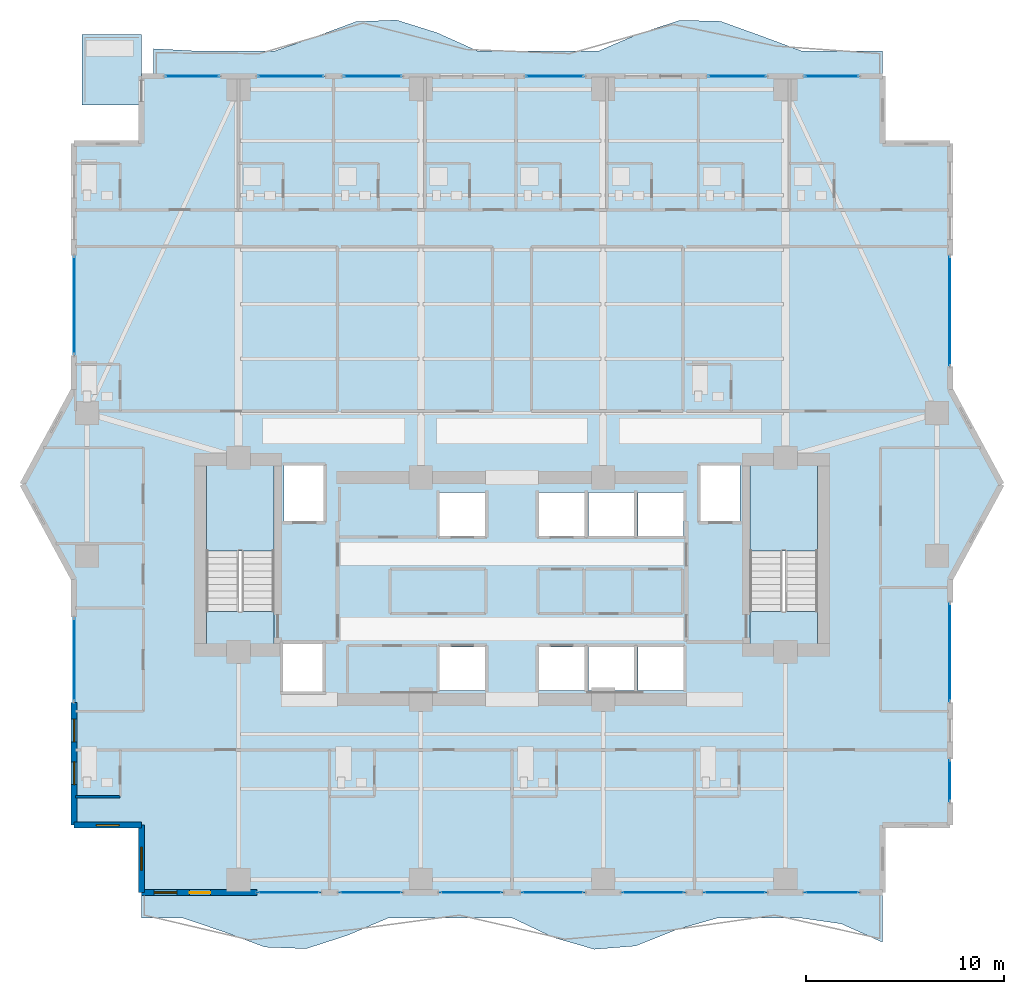
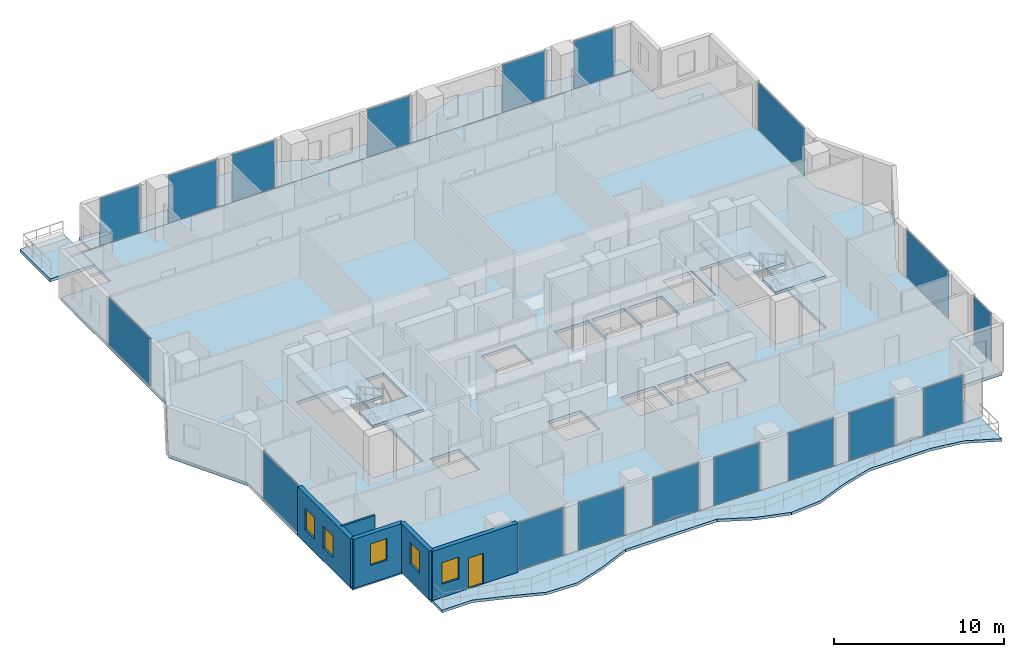
# One storey, part 23 of 33: 18 plates, 8 slabs, 5 walls, 5 windows, 1 door, 6 openings, 20 elements without a shape of their own.
"""IFC4 building model written with IfcOpenShell, lengths in metres."""

from ifc_helpers import new_model, si_unit, direction, frame, frame_2d, origin, origin_2d, place, context, subcontext, project, spatial, polyline, rectangle, outline, extrude, material, layer, layer_set, type_object, element, fill, aggregate, save


model = new_model("IFC4")

# Units and contexts
model_context = context("Model", 3, precision=1e-05, world=origin(), true_north=direction((0.0, 1.0)))
body_context = subcontext(model_context, "Body", "Model", "MODEL_VIEW")
ifc_project = project(units=[si_unit("LENGTHUNIT", "METRE"), si_unit("AREAUNIT", "SQUARE_METRE"), si_unit("VOLUMEUNIT", "CUBIC_METRE"), si_unit("PLANEANGLEUNIT", "RADIAN"), si_unit("MASSUNIT", "GRAM", prefix="KILO")], contexts=[model_context])

# Site, building, storey
site_placement = place(None, origin())
site = spatial("IfcSite", under=ifc_project, at=site_placement, CompositionType="ELEMENT")
building_placement = place(site_placement, origin())
building = spatial("IfcBuilding", under=site, at=building_placement, Name="Zuhayl Quay Hotel", CompositionType="ELEMENT")
storey_placement = place(building_placement, frame((0.0, 0.0, 222.39990234375)))
storey = spatial("IfcBuildingStorey", under=building, at=storey_placement, Name="L56", CompositionType="ELEMENT", Elevation=222.39990234375)

# Curtain wall, plate
ifc_material_1 = material(Name="Anodised Aluminium 6063-T6", Category="aluminium")
ifc_layer_1 = layer(ifc_material_1, 0.175048828125, Name="Anodised Aluminium 6063-T6", Category="aluminium")
ifc_layer_set_1 = layer_set([ifc_layer_1], Name="Anodised Aluminium 6063-T6")
curtain_wall_type = type_object("IfcCurtainWallType", Name="CW_SYS_Z3", PredefinedType="USERDEFINED", material=ifc_layer_set_1)
curtain_wall_1_placement = place(storey_placement, origin())
curtain_wall_1 = element("IfcCurtainWall", 1, at=curtain_wall_1_placement, inside=storey, type_object=curtain_wall_type, Name="L56 Curtain Wall ENV_L56_E02_CW1", ObjectType="UNITISED CURTAIN WALL", PredefinedType="USERDEFINED")
ifc_material_2 = material(Name="Dark Ceramic-Fritted Solar Glass", Category="glass")
ifc_layer_2 = layer(ifc_material_2, 0.0400390625, Name="Dark Ceramic-Fritted Solar Glass", Category="glass")
ifc_layer_set_2 = layer_set([ifc_layer_2], Name="Dark Ceramic-Fritted Solar Glass")
plate_type = type_object("IfcPlateType", Name="PN_OP_VENT_Z3", PredefinedType="CURTAIN_PANEL", material=ifc_layer_set_2)
plate_1_placement = place(storey_placement, frame((-22.10009765625, 4.14990234375, 0.05517578125), z_axis=(0.0, 0.0, 1.0), x_axis=(0.0, 1.0, 0.0)))
plate_1 = element("IfcPlate", 2, at=plate_1_placement, type_object=plate_type, Name="CW-Z3 panel 1.1", PredefinedType="CURTAIN_PANEL", context=body_context, shape_type="SweptSolid", body=[
    extrude(rectangle(XDim=4.169921875, YDim=0.0400390625, at=origin_2d()), origin(), (0.0, 0.0, 1.0), 3.419921875),
])
aggregate(curtain_wall_1, [plate_1])

curtain_wall_2_placement = place(storey_placement, origin())
curtain_wall_2 = element("IfcCurtainWall", 3, at=curtain_wall_2_placement, inside=storey, type_object=curtain_wall_type, Name="L56 Curtain Wall ENV_L56_E05_CW1", ObjectType="UNITISED CURTAIN WALL", PredefinedType="USERDEFINED")
plate_2_placement = place(storey_placement, frame((-22.10009765625, 22.030029296875, 0.05517578125), z_axis=(0.0, 0.0, 1.0), x_axis=(0.0, 1.0, 0.0)))
plate_2 = element("IfcPlate", 4, at=plate_2_placement, type_object=plate_type, Name="CW-Z3 panel 1.1", PredefinedType="CURTAIN_PANEL", context=body_context, shape_type="SweptSolid", body=[
    extrude(rectangle(XDim=4.909912109375, YDim=0.0400390625, at=origin_2d()), origin(), (0.0, 0.0, 1.0), 3.419921875),
])
aggregate(curtain_wall_2, [plate_2])

curtain_wall_3_placement = place(storey_placement, origin())
curtain_wall_3 = element("IfcCurtainWall", 5, at=curtain_wall_3_placement, inside=storey, type_object=curtain_wall_type, Name="L56 Curtain Wall ENV_L56_N_CW1", ObjectType="UNITISED CURTAIN WALL", PredefinedType="USERDEFINED")
plate_3_placement = place(storey_placement, frame((-16.135009765625, 33.60009765625, 0.05517578125), z_axis=(0.0, 0.0, 1.0), x_axis=(1.0, 0.0, 0.0)))
plate_3 = element("IfcPlate", 6, at=plate_3_placement, type_object=plate_type, Name="CW-Z3 panel 1.1", PredefinedType="CURTAIN_PANEL", context=body_context, shape_type="SweptSolid", body=[
    extrude(rectangle(XDim=2.699951171875, YDim=0.0400390625, at=origin_2d()), origin(), (0.0, 0.0, 1.0), 3.419921875),
])
aggregate(curtain_wall_3, [plate_3])

curtain_wall_4_placement = place(storey_placement, origin())
curtain_wall_4 = element("IfcCurtainWall", 7, at=curtain_wall_4_placement, inside=storey, type_object=curtain_wall_type, Name="L56 Curtain Wall ENV_L56_N_CW2", ObjectType="UNITISED CURTAIN WALL", PredefinedType="USERDEFINED")
plate_4_placement = place(storey_placement, frame((-11.1650390625, 33.60009765625, 0.05517578125), z_axis=(0.0, 0.0, 1.0), x_axis=(1.0, 0.0, 0.0)))
plate_4 = element("IfcPlate", 8, at=plate_4_placement, type_object=plate_type, Name="CW-Z3 panel 1.1", PredefinedType="CURTAIN_PANEL", context=body_context, shape_type="SweptSolid", body=[
    extrude(rectangle(XDim=3.300048828125, YDim=0.0400390625, at=origin_2d()), origin(), (0.0, 0.0, 1.0), 3.419921875),
])
aggregate(curtain_wall_4, [plate_4])

curtain_wall_5_placement = place(storey_placement, origin())
curtain_wall_5 = element("IfcCurtainWall", 9, at=curtain_wall_5_placement, inside=storey, type_object=curtain_wall_type, Name="L56 Curtain Wall ENV_L56_N_CW3", ObjectType="UNITISED CURTAIN WALL", PredefinedType="USERDEFINED")
plate_5_placement = place(storey_placement, frame((-7.034912109375, 33.60009765625, 0.05517578125), z_axis=(0.0, 0.0, 1.0), x_axis=(1.0, 0.0, 0.0)))
plate_5 = element("IfcPlate", 10, at=plate_5_placement, type_object=plate_type, Name="CW-Z3 panel 1.1", PredefinedType="CURTAIN_PANEL", context=body_context, shape_type="SweptSolid", body=[
    extrude(rectangle(XDim=2.89990234375, YDim=0.0400390625, at=origin_2d()), origin(), (0.0, 0.0, 1.0), 3.419921875),
])
aggregate(curtain_wall_5, [plate_5])

curtain_wall_6_placement = place(storey_placement, origin())
curtain_wall_6 = element("IfcCurtainWall", 11, at=curtain_wall_6_placement, inside=storey, type_object=curtain_wall_type, Name="L56 Curtain Wall ENV_L56_N_CW4", ObjectType="UNITISED CURTAIN WALL", PredefinedType="USERDEFINED")
plate_6_placement = place(storey_placement, frame((2.1650390625, 33.60009765625, 0.05517578125), z_axis=(0.0, 0.0, 1.0), x_axis=(1.0, 0.0, 0.0)))
plate_6 = element("IfcPlate", 12, at=plate_6_placement, type_object=plate_type, Name="CW-Z3 panel 1.1", PredefinedType="CURTAIN_PANEL", context=body_context, shape_type="SweptSolid", body=[
    extrude(rectangle(XDim=2.89990234375, YDim=0.0400390625, at=origin_2d()), origin(), (0.0, 0.0, 1.0), 3.419921875),
])
aggregate(curtain_wall_6, [plate_6])

curtain_wall_7_placement = place(storey_placement, origin())
curtain_wall_7 = element("IfcCurtainWall", 13, at=curtain_wall_7_placement, inside=storey, type_object=curtain_wall_type, Name="L56 Curtain Wall ENV_L56_N_CW5", ObjectType="UNITISED CURTAIN WALL", PredefinedType="USERDEFINED")
plate_7_placement = place(storey_placement, frame((11.364990234375, 33.60009765625, 0.05517578125), z_axis=(0.0, 0.0, 1.0), x_axis=(1.0, 0.0, 0.0)))
plate_7 = element("IfcPlate", 14, at=plate_7_placement, type_object=plate_type, Name="CW-Z3 panel 1.1", PredefinedType="CURTAIN_PANEL", context=body_context, shape_type="SweptSolid", body=[
    extrude(rectangle(XDim=2.89990234375, YDim=0.0400390625, at=origin_2d()), origin(), (0.0, 0.0, 1.0), 3.419921875),
])
aggregate(curtain_wall_7, [plate_7])

curtain_wall_8_placement = place(storey_placement, origin())
curtain_wall_8 = element("IfcCurtainWall", 15, at=curtain_wall_8_placement, inside=storey, type_object=curtain_wall_type, Name="L56 Curtain Wall ENV_L56_N_CW6", ObjectType="UNITISED CURTAIN WALL", PredefinedType="USERDEFINED")
plate_8_placement = place(storey_placement, frame((16.135009765625, 33.60009765625, 0.05517578125), z_axis=(0.0, 0.0, 1.0), x_axis=(1.0, 0.0, 0.0)))
plate_8 = element("IfcPlate", 16, at=plate_8_placement, type_object=plate_type, Name="CW-Z3 panel 1.1", PredefinedType="CURTAIN_PANEL", context=body_context, shape_type="SweptSolid", body=[
    extrude(rectangle(XDim=2.699951171875, YDim=0.0400390625, at=origin_2d()), origin(), (0.0, 0.0, 1.0), 3.419921875),
])
aggregate(curtain_wall_8, [plate_8])

curtain_wall_9_placement = place(storey_placement, origin())
curtain_wall_9 = element("IfcCurtainWall", 17, at=curtain_wall_9_placement, inside=storey, type_object=curtain_wall_type, Name="L56 Curtain Wall ENV_L56_E11_CW1", ObjectType="UNITISED CURTAIN WALL", PredefinedType="USERDEFINED")
plate_9_placement = place(storey_placement, frame((22.10009765625, 21.75, 0.05517578125), z_axis=(0.0, 0.0, 1.0), x_axis=(0.0, -1.0, 0.0)))
plate_9 = element("IfcPlate", 18, at=plate_9_placement, type_object=plate_type, Name="CW-Z3 panel 1.1", PredefinedType="CURTAIN_PANEL", context=body_context, shape_type="SweptSolid", body=[
    extrude(rectangle(XDim=5.469970703125, YDim=0.0400390625, at=origin_2d()), origin(), (0.0, 0.0, 1.0), 3.419921875),
])
aggregate(curtain_wall_9, [plate_9])

curtain_wall_10_placement = place(storey_placement, origin())
curtain_wall_10 = element("IfcCurtainWall", 19, at=curtain_wall_10_placement, inside=storey, type_object=curtain_wall_type, Name="L56 Curtain Wall ENV_L56_E14_CW1", ObjectType="UNITISED CURTAIN WALL", PredefinedType="USERDEFINED")
plate_10_placement = place(storey_placement, frame((22.10009765625, 4.52490234375, 0.05517578125), z_axis=(0.0, 0.0, 1.0), x_axis=(0.0, -1.0, 0.0)))
plate_10 = element("IfcPlate", 20, at=plate_10_placement, type_object=plate_type, Name="CW-Z3 panel 1.1", PredefinedType="CURTAIN_PANEL", context=body_context, shape_type="SweptSolid", body=[
    extrude(rectangle(XDim=4.919921875, YDim=0.0400390625, at=origin_2d()), origin(), (0.0, 0.0, 1.0), 3.419921875),
])
aggregate(curtain_wall_10, [plate_10])

curtain_wall_11_placement = place(storey_placement, origin())
curtain_wall_11 = element("IfcCurtainWall", 21, at=curtain_wall_11_placement, inside=storey, type_object=curtain_wall_type, Name="L56 Curtain Wall ENV_L56_E14_CW2", ObjectType="UNITISED CURTAIN WALL", PredefinedType="USERDEFINED")
plate_11_placement = place(storey_placement, frame((22.10009765625, -1.949951171875, 0.05517578125), z_axis=(0.0, 0.0, 1.0), x_axis=(0.0, -1.0, 0.0)))
plate_11 = element("IfcPlate", 22, at=plate_11_placement, type_object=plate_type, Name="CW-Z3 panel 1.1", PredefinedType="CURTAIN_PANEL", context=body_context, shape_type="SweptSolid", body=[
    extrude(rectangle(XDim=2.070068359375, YDim=0.0400390625, at=origin_2d()), origin(), (0.0, 0.0, 1.0), 3.419921875),
])
aggregate(curtain_wall_11, [plate_11])

curtain_wall_12_placement = place(storey_placement, origin())
curtain_wall_12 = element("IfcCurtainWall", 23, at=curtain_wall_12_placement, inside=storey, type_object=curtain_wall_type, Name="L56 Curtain Wall ENV_L56_S_CW1", ObjectType="UNITISED CURTAIN WALL", PredefinedType="USERDEFINED")
plate_12_placement = place(storey_placement, frame((16.135009765625, -7.60009765625, 0.05517578125), z_axis=(0.0, 0.0, 1.0), x_axis=(-1.0, 0.0, 0.0)))
plate_12 = element("IfcPlate", 24, at=plate_12_placement, type_object=plate_type, Name="CW-Z3 panel 1.1", PredefinedType="CURTAIN_PANEL", context=body_context, shape_type="SweptSolid", body=[
    extrude(rectangle(XDim=2.699951171875, YDim=0.0400390625, at=origin_2d()), origin(), (0.0, 0.0, 1.0), 3.419921875),
])
aggregate(curtain_wall_12, [plate_12])

curtain_wall_13_placement = place(storey_placement, origin())
curtain_wall_13 = element("IfcCurtainWall", 25, at=curtain_wall_13_placement, inside=storey, type_object=curtain_wall_type, Name="L56 Curtain Wall ENV_L56_S_CW2", ObjectType="UNITISED CURTAIN WALL", PredefinedType="USERDEFINED")
plate_13_placement = place(storey_placement, frame((11.264892578125, -7.60009765625, 0.05517578125), z_axis=(0.0, 0.0, 1.0), x_axis=(-1.0, 0.0, 0.0)))
plate_13 = element("IfcPlate", 26, at=plate_13_placement, type_object=plate_type, Name="CW-Z3 panel 1.1", PredefinedType="CURTAIN_PANEL", context=body_context, shape_type="SweptSolid", body=[
    extrude(rectangle(XDim=3.10009765625, YDim=0.0400390625, at=origin_2d()), origin(), (0.0, 0.0, 1.0), 3.419921875),
])
aggregate(curtain_wall_13, [plate_13])

curtain_wall_14_placement = place(storey_placement, origin())
curtain_wall_14 = element("IfcCurtainWall", 27, at=curtain_wall_14_placement, inside=storey, type_object=curtain_wall_type, Name="L56 Curtain Wall ENV_L56_S_CW3", ObjectType="UNITISED CURTAIN WALL", PredefinedType="USERDEFINED")
plate_14_placement = place(storey_placement, frame((7.135009765625, -7.60009765625, 0.05517578125), z_axis=(0.0, 0.0, 1.0), x_axis=(-1.0, 0.0, 0.0)))
plate_14 = element("IfcPlate", 28, at=plate_14_placement, type_object=plate_type, Name="CW-Z3 panel 1.1", PredefinedType="CURTAIN_PANEL", context=body_context, shape_type="SweptSolid", body=[
    extrude(rectangle(XDim=3.10009765625, YDim=0.0400390625, at=origin_2d()), origin(), (0.0, 0.0, 1.0), 3.419921875),
])
aggregate(curtain_wall_14, [plate_14])

curtain_wall_15_placement = place(storey_placement, origin())
curtain_wall_15 = element("IfcCurtainWall", 29, at=curtain_wall_15_placement, inside=storey, type_object=curtain_wall_type, Name="L56 Curtain Wall ENV_L56_S_CW4", ObjectType="UNITISED CURTAIN WALL", PredefinedType="USERDEFINED")
plate_15_placement = place(storey_placement, frame((2.06494140625, -7.60009765625, 0.05517578125), z_axis=(0.0, 0.0, 1.0), x_axis=(-1.0, 0.0, 0.0)))
plate_15 = element("IfcPlate", 30, at=plate_15_placement, type_object=plate_type, Name="CW-Z3 panel 1.1", PredefinedType="CURTAIN_PANEL", context=body_context, shape_type="SweptSolid", body=[
    extrude(rectangle(XDim=3.10009765625, YDim=0.0400390625, at=origin_2d()), origin(), (0.0, 0.0, 1.0), 3.419921875),
])
aggregate(curtain_wall_15, [plate_15])

curtain_wall_16_placement = place(storey_placement, origin())
curtain_wall_16 = element("IfcCurtainWall", 31, at=curtain_wall_16_placement, inside=storey, type_object=curtain_wall_type, Name="L56 Curtain Wall ENV_L56_S_CW5", ObjectType="UNITISED CURTAIN WALL", PredefinedType="USERDEFINED")
plate_16_placement = place(storey_placement, frame((-2.06494140625, -7.60009765625, 0.05517578125), z_axis=(0.0, 0.0, 1.0), x_axis=(-1.0, 0.0, 0.0)))
plate_16 = element("IfcPlate", 32, at=plate_16_placement, type_object=plate_type, Name="CW-Z3 panel 1.1", PredefinedType="CURTAIN_PANEL", context=body_context, shape_type="SweptSolid", body=[
    extrude(rectangle(XDim=3.10009765625, YDim=0.0400390625, at=origin_2d()), origin(), (0.0, 0.0, 1.0), 3.419921875),
])
aggregate(curtain_wall_16, [plate_16])

curtain_wall_17_placement = place(storey_placement, origin())
curtain_wall_17 = element("IfcCurtainWall", 33, at=curtain_wall_17_placement, inside=storey, type_object=curtain_wall_type, Name="L56 Curtain Wall ENV_L56_S_CW6", ObjectType="UNITISED CURTAIN WALL", PredefinedType="USERDEFINED")
plate_17_placement = place(storey_placement, frame((-7.135009765625, -7.60009765625, 0.05517578125), z_axis=(0.0, 0.0, 1.0), x_axis=(-1.0, 0.0, 0.0)))
plate_17 = element("IfcPlate", 34, at=plate_17_placement, type_object=plate_type, Name="CW-Z3 panel 1.1", PredefinedType="CURTAIN_PANEL", context=body_context, shape_type="SweptSolid", body=[
    extrude(rectangle(XDim=3.10009765625, YDim=0.0400390625, at=origin_2d()), origin(), (0.0, 0.0, 1.0), 3.419921875),
])
aggregate(curtain_wall_17, [plate_17])

curtain_wall_18_placement = place(storey_placement, origin())
curtain_wall_18 = element("IfcCurtainWall", 35, at=curtain_wall_18_placement, inside=storey, type_object=curtain_wall_type, Name="L56 Curtain Wall ENV_L56_S_CW7", ObjectType="UNITISED CURTAIN WALL", PredefinedType="USERDEFINED")
plate_18_placement = place(storey_placement, frame((-11.264892578125, -7.60009765625, 0.05517578125), z_axis=(0.0, 0.0, 1.0), x_axis=(-1.0, 0.0, 0.0)))
plate_18 = element("IfcPlate", 36, at=plate_18_placement, type_object=plate_type, Name="CW-Z3 panel 1.1", PredefinedType="CURTAIN_PANEL", context=body_context, shape_type="SweptSolid", body=[
    extrude(rectangle(XDim=3.10009765625, YDim=0.0400390625, at=origin_2d()), origin(), (0.0, 0.0, 1.0), 3.419921875),
])
aggregate(curtain_wall_18, [plate_18])

# Slabs
ifc_material_3 = material(Name="Concrete C45/55", Category="concrete")
ifc_layer_3 = layer(ifc_material_3, 0.195068359375, Name="Concrete C45/55", Category="concrete")
ifc_layer_set_3 = layer_set([ifc_layer_3], Name="Concrete C45/55")
slab_type_1 = type_object("IfcSlabType", Name="SL_BALCONY_195", PredefinedType="FLOOR", material=ifc_layer_set_3)
slab_1_placement = place(storey_placement, frame((0.0, 0.0, -0.19482421875)))
element("IfcSlab", 37, at=slab_1_placement, inside=storey, type_object=slab_type_1, Name="L56 Exterior Rippling Balcony Slab North", PredefinedType="FLOOR", context=body_context, shape_type="SweptSolid", body=[
    extrude(outline(polyline([(-18.10009765625, 33.60009765625), (18.699951171875, 33.60009765625), (18.699951171875, 34.8798828125), (16.655517578125, 34.8798828125), (14.611083984375, 34.8798828125), (12.566650390625, 35.63623046875), (10.522216796875, 36.37353515625), (8.477783203125, 36.424560546875), (6.433349609375, 35.75830078125), (4.388916015625, 34.8798828125), (2.344482421875, 34.8798828125), (0.300048828125, 34.8798828125), (-1.744384765625, 34.8798828125), (-3.788818359375, 35.798095703125), (-5.833251953125, 36.438720703125), (-7.877685546875, 36.353759765625), (-9.922119140625, 35.594482421875), (-11.966796875, 34.8798828125), (-14.010986328125, 34.8798828125), (-16.0556640625, 34.8798828125), (-18.10009765625, 34.989990234375), (-18.10009765625, 33.60009765625)])), origin(), (0.0, 0.0, 1.0), 0.19482421875),
])
slab_2_placement = place(storey_placement, frame((0.0, 0.0, -0.19482421875)))
element("IfcSlab", 38, at=slab_2_placement, inside=storey, type_object=slab_type_1, Name="L56 Exterior Rippling Balcony Slab South", PredefinedType="FLOOR", context=body_context, shape_type="SweptSolid", body=[
    extrude(outline(polyline([(-18.699951171875, -8.8798828125), (-16.622314453125, -8.8798828125), (-14.54443359375, -9.583984375), (-12.466796875, -10.356201171875), (-10.388916015625, -10.431884765625), (-8.31103515625, -9.763427734375), (-6.2333984375, -8.8798828125), (-4.155517578125, -8.8798828125), (-2.077880859375, -8.8798828125), (0.0, -8.8798828125), (2.077880859375, -9.865478515625), (4.155517578125, -10.464111328125), (6.2333984375, -10.29833984375), (8.31103515625, -9.472412109375), (10.388916015625, -8.8798828125), (12.466796875, -8.8798828125), (14.54443359375, -8.8798828125), (16.622314453125, -9.17919921875), (18.699951171875, -10.1103515625), (18.699951171875, -7.60009765625), (-18.699951171875, -7.60009765625), (-18.699951171875, -8.8798828125)])), origin(), (0.0, 0.0, 1.0), 0.19482421875),
])
ifc_layer_4 = layer(ifc_material_3, 0.219970703125, Name="Concrete C45/55", Category="concrete")
ifc_layer_set_4 = layer_set([ifc_layer_4], Name="Concrete C45/55")
slab_type_2 = type_object("IfcSlabType", Name="SL_FLOOR_220", PredefinedType="FLOOR", material=ifc_layer_set_4)
slab_3_placement = place(storey_placement, frame((0.0, 0.0, -0.219970703125)))
element("IfcSlab", 39, at=slab_3_placement, inside=storey, type_object=slab_type_2, Name="L56 Structural Floor Slab", PredefinedType="FLOOR", context=body_context, shape_type="SweptSolid", body=[
    extrude(outline(polyline([(-18.699951171875, -7.60009765625), (18.699951171875, -7.60009765625), (18.699951171875, -4.199951171875), (22.10009765625, -4.199951171875), (22.10009765625, 8.199951171875), (24.699951171875, 13.0), (22.10009765625, 17.800048828125), (22.10009765625, 30.199951171875), (18.699951171875, 30.199951171875), (18.699951171875, 33.60009765625), (-18.699951171875, 33.60009765625), (-18.699951171875, 30.199951171875), (-22.10009765625, 30.199951171875), (-22.10009765625, 17.800048828125), (-24.699951171875, 13.0), (-22.10009765625, 8.199951171875), (-22.10009765625, -4.199951171875), (-18.699951171875, -4.199951171875), (-18.699951171875, -7.60009765625)]), holes=[polyline([(-12.0, 4.949951171875), (-12.0, 13.949951171875), (-15.429931640625, 13.949951171875), (-15.429931640625, 4.949951171875), (-12.0, 4.949951171875)]), polyline([(15.429931640625, 4.949951171875), (15.429931640625, 13.949951171875), (12.0, 13.949951171875), (12.0, 4.949951171875), (15.429931640625, 4.949951171875)]), polyline([(-11.5, 11.14990234375), (-9.5, 11.14990234375), (-9.5, 13.949951171875), (-11.5, 13.949951171875), (-11.5, 11.14990234375)]), polyline([(9.5, 11.14990234375), (11.5, 11.14990234375), (11.5, 13.949951171875), (9.5, 13.949951171875), (9.5, 11.14990234375)]), polyline([(-3.64990234375, 2.60009765625), (-1.35009765625, 2.60009765625), (-1.35009765625, 4.800048828125), (-3.64990234375, 4.800048828125), (-3.64990234375, 2.60009765625)]), polyline([(1.35009765625, 2.60009765625), (3.64990234375, 2.60009765625), (3.64990234375, 4.800048828125), (1.35009765625, 4.800048828125), (1.35009765625, 2.60009765625)]), polyline([(-3.64990234375, 10.39990234375), (-1.35009765625, 10.39990234375), (-1.35009765625, 12.60009765625), (-3.64990234375, 12.60009765625), (-3.64990234375, 10.39990234375)]), polyline([(1.35009765625, 10.39990234375), (3.64990234375, 10.39990234375), (3.64990234375, 12.60009765625), (1.35009765625, 12.60009765625), (1.35009765625, 10.39990234375)]), polyline([(3.85009765625, 2.60009765625), (6.14990234375, 2.60009765625), (6.14990234375, 4.800048828125), (3.85009765625, 4.800048828125), (3.85009765625, 2.60009765625)]), polyline([(6.35009765625, 2.60009765625), (8.64990234375, 2.60009765625), (8.64990234375, 4.800048828125), (6.35009765625, 4.800048828125), (6.35009765625, 2.60009765625)]), polyline([(3.85009765625, 10.39990234375), (6.14990234375, 10.39990234375), (6.14990234375, 12.60009765625), (3.85009765625, 12.60009765625), (3.85009765625, 10.39990234375)]), polyline([(6.35009765625, 10.39990234375), (8.64990234375, 10.39990234375), (8.64990234375, 12.60009765625), (6.35009765625, 12.60009765625), (6.35009765625, 10.39990234375)]), polyline([(-11.550048828125, 2.550048828125), (-9.550048828125, 2.550048828125), (-9.550048828125, 4.949951171875), (-11.550048828125, 4.949951171875), (-11.550048828125, 2.550048828125)])]), origin(), (0.0, 0.0, 1.0), 0.219970703125),
])

# Stair, slabs
stair_type = type_object("IfcStairType", Name="ST_DOGLEG_TOWER", PredefinedType="HALF_TURN_STAIR", material=ifc_material_3)
stair_1_placement = place(storey_placement, origin())
stair_1 = element("IfcStair", 40, at=stair_1_placement, inside=storey, type_object=stair_type, Name="L56 Smokeproof Exit Stair ST1", PredefinedType="HALF_TURN_STAIR")
ifc_layer_5 = layer(ifc_material_3, 0.199951171875, Name="Concrete C45/55", Category="concrete")
ifc_layer_set_5 = layer_set([ifc_layer_5], Name="Concrete C45/55")
slab_type_3 = type_object("IfcSlabType", Name="SL_STAIR_LANDING_200", PredefinedType="LANDING", material=ifc_layer_set_5)
slab_4_placement = place(storey_placement, frame((0.0, 0.0, 1.675048828125)))
slab_4 = element("IfcSlab", 41, at=slab_4_placement, type_object=slab_type_3, Name="ST1 landing 1", PredefinedType="LANDING", context=body_context, shape_type="SweptSolid", body=[
    extrude(outline(polyline([(-12.0, 9.64990234375), (-12.0, 13.949951171875), (-15.429931640625, 13.949951171875), (-15.429931640625, 9.64990234375), (-12.0, 9.64990234375)])), origin(), (0.0, 0.0, 1.0), 0.199951171875),
])
slab_5_placement = place(storey_placement, frame((0.0, 0.0, 3.550048828125)))
slab_5 = element("IfcSlab", 42, at=slab_5_placement, type_object=slab_type_3, Name="ST1 landing 2", PredefinedType="LANDING", context=body_context, shape_type="SweptSolid", body=[
    extrude(outline(polyline([(-12.0, 4.949951171875), (-12.0, 6.590087890625), (-15.429931640625, 6.590087890625), (-15.429931640625, 4.949951171875), (-12.0, 4.949951171875)])), origin(), (0.0, 0.0, 1.0), 0.199951171875),
])
aggregate(stair_1, [slab_4, slab_5])

stair_2_placement = place(storey_placement, origin())
stair_2 = element("IfcStair", 43, at=stair_2_placement, inside=storey, type_object=stair_type, Name="L56 Smokeproof Exit Stair ST2", PredefinedType="HALF_TURN_STAIR")
slab_6_placement = place(storey_placement, frame((0.0, 0.0, 1.675048828125)))
slab_6 = element("IfcSlab", 44, at=slab_6_placement, type_object=slab_type_3, Name="ST2 landing 1", PredefinedType="LANDING", context=body_context, shape_type="SweptSolid", body=[
    extrude(outline(polyline([(15.429931640625, 9.64990234375), (15.429931640625, 13.949951171875), (12.0, 13.949951171875), (12.0, 9.64990234375), (15.429931640625, 9.64990234375)])), origin(), (0.0, 0.0, 1.0), 0.199951171875),
])
slab_7_placement = place(storey_placement, frame((0.0, 0.0, 3.550048828125)))
slab_7 = element("IfcSlab", 45, at=slab_7_placement, type_object=slab_type_3, Name="ST2 landing 2", PredefinedType="LANDING", context=body_context, shape_type="SweptSolid", body=[
    extrude(outline(polyline([(15.429931640625, 4.949951171875), (15.429931640625, 6.590087890625), (12.0, 6.590087890625), (12.0, 4.949951171875), (15.429931640625, 4.949951171875)])), origin(), (0.0, 0.0, 1.0), 0.199951171875),
])
aggregate(stair_2, [slab_6, slab_7])

# Slab
ifc_layer_6 = layer(ifc_material_3, 0.219970703125, Name="Concrete C45/55", Category="concrete")
ifc_layer_set_6 = layer_set([ifc_layer_6], Name="Concrete C45/55")
slab_type_4 = type_object("IfcSlabType", Name="SL_TERRACE_235", PredefinedType="FLOOR", material=ifc_layer_set_6)
slab_8_placement = place(storey_placement, frame((0.0, 0.0, -0.219970703125)))
element("IfcSlab", 46, at=slab_8_placement, inside=storey, type_object=slab_type_4, Name="L56 Exterior Sky-Terrace Slab L56_SPIRAL_NW", PredefinedType="FLOOR", context=body_context, shape_type="SweptSolid", body=[
    extrude(outline(polyline([(-21.699951171875, 32.14990234375), (-18.699951171875, 32.14990234375), (-18.699951171875, 35.699951171875), (-21.699951171875, 35.699951171875), (-21.699951171875, 32.14990234375)])), origin(), (0.0, 0.0, 1.0), 0.219970703125),
])

# Wall, opening, window
ifc_material_4 = material(Name="Precast concrete C45/55", Category="concrete")
ifc_layer_7 = layer(ifc_material_4, 0.300048828125, Name="Precast concrete C45/55", Category="concrete")
ifc_layer_set_7 = layer_set([ifc_layer_7], Name="Precast concrete C45/55")
wall_type_1 = type_object("IfcWallType", Name="WL_EXT_300", PredefinedType="STANDARD", material=ifc_layer_set_7)
wall_1_placement = place(storey_placement, frame((-18.699951171875, -4.199951171875, 0.0), z_axis=(0.0, 0.0, 1.0), x_axis=(-1.0, 0.0, 0.0)))
wall_1 = element("IfcWall", 47, at=wall_1_placement, inside=storey, type_object=wall_type_1, Name="L56 Exterior Precast Wall ENV_L56_EW01", PredefinedType="STANDARD", context=body_context, shape_type="SweptSolid", body=[
    extrude(rectangle(XDim=3.400146484375, YDim=0.300048828125, at=frame_2d((1.7001953125, 0.0))), origin(), (0.0, 0.0, 1.0), 3.530029296875),
])
opening_1_placement = place(wall_1_placement, frame((1.125, 0.0, 1.25)))
opening_1 = element("IfcOpeningElement", 48, at=opening_1_placement, cuts=wall_1, Name="Opening W01N", PredefinedType="OPENING", context=body_context, shape_type="SweptSolid", body=[
    extrude(rectangle(XDim=1.14990234375, YDim=1.550048828125, at=frame_2d((0.574951171875, 0.77490234375))), frame((0.0, 0.159912109375, 0.0), z_axis=(0.0, -1.0, 0.0), x_axis=(1.0, 0.0, 0.0)), (0.0, 0.0, 1.0), 0.320068359375),
])
window_type = type_object("IfcWindowType", Name="WN_NOTCH_1350", PartitioningType="SINGLE_PANEL", PredefinedType="WINDOW", material=ifc_material_2)
window_1_placement = place(opening_1_placement, origin())
window_1 = element("IfcWindow", 49, at=window_1_placement, inside=storey, type_object=window_type, Name="L56 Corner Notch Window 1", OverallHeight=1.550048828125, OverallWidth=1.14990234375, PartitioningType="SINGLE_PANEL", PredefinedType="WINDOW", context=body_context, shape_type="SweptSolid", body=[
    extrude(rectangle(XDim=1.14990234375, YDim=1.550048828125, at=frame_2d((0.574951171875, 0.77490234375))), frame((0.0, 0.030029296875, 0.0), z_axis=(0.0, -1.0, 0.0), x_axis=(1.0, 0.0, 0.0)), (0.0, 0.0, 1.0), 0.06005859375),
])
fill(opening_1, window_1)

# Wall, openings, windows
wall_2_placement = place(storey_placement, frame((-22.10009765625, -4.199951171875, 0.0), z_axis=(0.0, 0.0, 1.0), x_axis=(0.0, 1.0, 0.0)))
wall_2 = element("IfcWall", 50, at=wall_2_placement, inside=storey, type_object=wall_type_1, Name="L56 Exterior Precast Wall ENV_L56_E02_EW1", PredefinedType="STANDARD", context=body_context, shape_type="SweptSolid", body=[
    extrude(rectangle(XDim=6.199951171875, YDim=0.300048828125, at=frame_2d((3.10009765625, 0.0))), origin(), (0.0, 0.0, 1.0), 3.530029296875),
])
opening_2_placement = place(wall_2_placement, frame((2.044921875, 0.0, 0.949951171875)))
opening_2 = element("IfcOpeningElement", 51, at=opening_2_placement, cuts=wall_2, Name="Opening W01N", PredefinedType="OPENING", context=body_context, shape_type="SweptSolid", body=[
    extrude(rectangle(XDim=1.14990234375, YDim=1.550048828125, at=frame_2d((0.574951171875, 0.77490234375))), frame((0.0, 0.159912109375, 0.0), z_axis=(0.0, -1.0, 0.0), x_axis=(1.0, 0.0, 0.0)), (0.0, 0.0, 1.0), 0.320068359375),
])
opening_3_placement = place(wall_2_placement, frame((4.199951171875, 0.0, 0.949951171875)))
opening_3 = element("IfcOpeningElement", 52, at=opening_3_placement, cuts=wall_2, Name="Opening W01N", PredefinedType="OPENING", context=body_context, shape_type="SweptSolid", body=[
    extrude(rectangle(XDim=1.14990234375, YDim=1.550048828125, at=frame_2d((0.574951171875, 0.77490234375))), frame((0.0, 0.159912109375, 0.0), z_axis=(0.0, -1.0, 0.0), x_axis=(1.0, 0.0, 0.0)), (0.0, 0.0, 1.0), 0.320068359375),
])
window_2_placement = place(opening_2_placement, origin())
window_2 = element("IfcWindow", 53, at=window_2_placement, inside=storey, type_object=window_type, Name="L56 Operable Facade Window 1-1", OverallHeight=1.550048828125, OverallWidth=1.14990234375, PartitioningType="SINGLE_PANEL", PredefinedType="WINDOW", context=body_context, shape_type="SweptSolid", body=[
    extrude(rectangle(XDim=1.14990234375, YDim=1.550048828125, at=frame_2d((0.574951171875, 0.77490234375))), frame((0.0, 0.030029296875, 0.0), z_axis=(0.0, -1.0, 0.0), x_axis=(1.0, 0.0, 0.0)), (0.0, 0.0, 1.0), 0.06005859375),
])
fill(opening_2, window_2)
window_3_placement = place(opening_3_placement, origin())
window_3 = element("IfcWindow", 54, at=window_3_placement, inside=storey, type_object=window_type, Name="L56 Operable Facade Window 1-2", OverallHeight=1.550048828125, OverallWidth=1.14990234375, PartitioningType="SINGLE_PANEL", PredefinedType="WINDOW", context=body_context, shape_type="SweptSolid", body=[
    extrude(rectangle(XDim=1.14990234375, YDim=1.550048828125, at=frame_2d((0.574951171875, 0.77490234375))), frame((0.0, 0.030029296875, 0.0), z_axis=(0.0, -1.0, 0.0), x_axis=(1.0, 0.0, 0.0)), (0.0, 0.0, 1.0), 0.06005859375),
])
fill(opening_3, window_3)

# Wall, openings, door, window
wall_3_placement = place(storey_placement, frame((-12.8798828125, -7.60009765625, 0.0), z_axis=(0.0, 0.0, 1.0), x_axis=(-1.0, 0.0, 0.0)))
wall_3 = element("IfcWall", 55, at=wall_3_placement, inside=storey, type_object=wall_type_1, Name="L56 Exterior Precast Wall ENV_L56_S_EW8", PredefinedType="STANDARD", context=body_context, shape_type="SweptSolid", body=[
    extrude(rectangle(XDim=5.820068359375, YDim=0.300048828125, at=frame_2d((2.91015625, 0.0))), origin(), (0.0, 0.0, 1.0), 3.530029296875),
])
opening_4_placement = place(wall_3_placement, frame((2.340087890625, 0.0, 0.0)))
opening_4 = element("IfcOpeningElement", 56, at=opening_4_placement, cuts=wall_3, Name="Opening DG1", PredefinedType="OPENING", context=body_context, shape_type="SweptSolid", body=[
    extrude(rectangle(XDim=1.050048828125, YDim=2.199951171875, at=frame_2d((0.52490234375, 1.10009765625))), frame((0.0, 0.159912109375, 0.0), z_axis=(0.0, -1.0, 0.0), x_axis=(1.0, 0.0, 0.0)), (0.0, 0.0, 1.0), 0.320068359375),
])
opening_5_placement = place(wall_3_placement, frame((4.034912109375, 0.0, 0.949951171875)))
opening_5 = element("IfcOpeningElement", 57, at=opening_5_placement, cuts=wall_3, Name="Opening W01N", PredefinedType="OPENING", context=body_context, shape_type="SweptSolid", body=[
    extrude(rectangle(XDim=1.14990234375, YDim=1.550048828125, at=frame_2d((0.574951171875, 0.77490234375))), frame((0.0, 0.159912109375, 0.0), z_axis=(0.0, -1.0, 0.0), x_axis=(1.0, 0.0, 0.0)), (0.0, 0.0, 1.0), 0.320068359375),
])
ifc_material_5 = material(Name="Anodised Aluminium and Dark Solar Glass", Category="aluminium")
door_type = type_object("IfcDoorType", Name="DR_EXT_TERR_1050", OperationType="NOTDEFINED", PredefinedType="DOOR", material=ifc_material_5)
door_placement = place(opening_4_placement, origin())
door = element("IfcDoor", 58, at=door_placement, inside=storey, type_object=door_type, Name="L56 South Rippling Balcony Door", OperationType="SINGLE_SWING_RIGHT", OverallHeight=2.199951171875, OverallWidth=1.050048828125, PredefinedType="DOOR", context=body_context, shape_type="SweptSolid", body=[
    extrude(rectangle(XDim=1.050048828125, YDim=2.199951171875, at=frame_2d((0.52490234375, 1.10009765625))), frame((0.0, 0.02490234375, 0.0), z_axis=(0.0, -1.0, 0.0), x_axis=(1.0, 0.0, 0.0)), (0.0, 0.0, 1.0), 0.050048828125),
])
fill(opening_4, door)
window_4_placement = place(opening_5_placement, origin())
window_4 = element("IfcWindow", 59, at=window_4_placement, inside=storey, type_object=window_type, Name="L56 Operable Facade Window 8-1", OverallHeight=1.550048828125, OverallWidth=1.14990234375, PartitioningType="SINGLE_PANEL", PredefinedType="WINDOW", context=body_context, shape_type="SweptSolid", body=[
    extrude(rectangle(XDim=1.14990234375, YDim=1.550048828125, at=frame_2d((0.574951171875, 0.77490234375))), frame((0.0, 0.030029296875, 0.0), z_axis=(0.0, -1.0, 0.0), x_axis=(1.0, 0.0, 0.0)), (0.0, 0.0, 1.0), 0.06005859375),
])
fill(opening_5, window_4)

# Wall, opening, window
wall_4_placement = place(storey_placement, frame((-18.699951171875, -7.60009765625, 0.0), z_axis=(0.0, 0.0, 1.0), x_axis=(0.0, 1.0, 0.0)))
wall_4 = element("IfcWall", 60, at=wall_4_placement, inside=storey, type_object=wall_type_1, Name="L56 Exterior Precast Wall ENV_L56_EW18", PredefinedType="STANDARD", context=body_context, shape_type="SweptSolid", body=[
    extrude(rectangle(XDim=3.400146484375, YDim=0.300048828125, at=frame_2d((1.7001953125, 0.0))), origin(), (0.0, 0.0, 1.0), 3.530029296875),
])
opening_6_placement = place(wall_4_placement, frame((1.125, 0.0, 1.25)))
opening_6 = element("IfcOpeningElement", 61, at=opening_6_placement, cuts=wall_4, Name="Opening W01N", PredefinedType="OPENING", context=body_context, shape_type="SweptSolid", body=[
    extrude(rectangle(XDim=1.14990234375, YDim=1.550048828125, at=frame_2d((0.574951171875, 0.77490234375))), frame((0.0, 0.159912109375, 0.0), z_axis=(0.0, -1.0, 0.0), x_axis=(1.0, 0.0, 0.0)), (0.0, 0.0, 1.0), 0.320068359375),
])
window_5_placement = place(opening_6_placement, origin())
window_5 = element("IfcWindow", 62, at=window_5_placement, inside=storey, type_object=window_type, Name="L56 Corner Notch Window 18", OverallHeight=1.550048828125, OverallWidth=1.14990234375, PartitioningType="SINGLE_PANEL", PredefinedType="WINDOW", context=body_context, shape_type="SweptSolid", body=[
    extrude(rectangle(XDim=1.14990234375, YDim=1.550048828125, at=frame_2d((0.574951171875, 0.77490234375))), frame((0.0, 0.030029296875, 0.0), z_axis=(0.0, -1.0, 0.0), x_axis=(1.0, 0.0, 0.0)), (0.0, 0.0, 1.0), 0.06005859375),
])
fill(opening_6, window_5)

# Wall
ifc_material_6 = material(Name="Moisture-Resistant Sanitarychase Gypsum")
ifc_layer_8 = layer(ifc_material_6, 0.135009765625, Name="Moisture-Resistant Sanitarychase Gypsum")
ifc_layer_set_8 = layer_set([ifc_layer_8], Name="Moisture-Resistant Sanitarychase Gypsum")
wall_type_2 = type_object("IfcWallType", Name="WL_PART_PLUMB_150", PredefinedType="PLUMBINGWALL", material=ifc_layer_set_8)
wall_5_placement = place(storey_placement, frame((-22.0400390625, -2.760009765625, 0.0), z_axis=(0.0, 0.0, 1.0), x_axis=(1.0, 0.0, 0.0)))
element("IfcWall", 63, at=wall_5_placement, inside=storey, type_object=wall_type_2, Name="L56 Partition IW_L56_SU01_BS", PredefinedType="PLUMBINGWALL", context=body_context, shape_type="SweptSolid", body=[
    extrude(rectangle(XDim=2.260009765625, YDim=0.135009765625, at=frame_2d((1.1298828125, 0.0))), origin(), (0.0, 0.0, 1.0), 3.530029296875),
])

save(model, "model.ifc")
